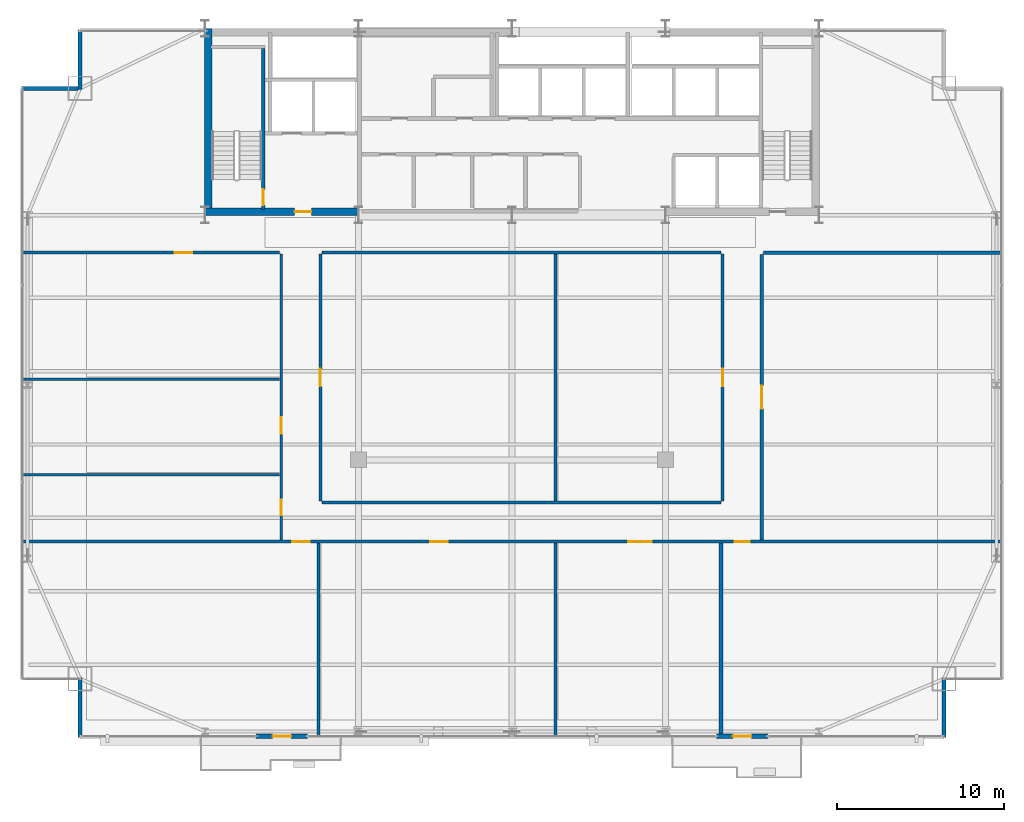
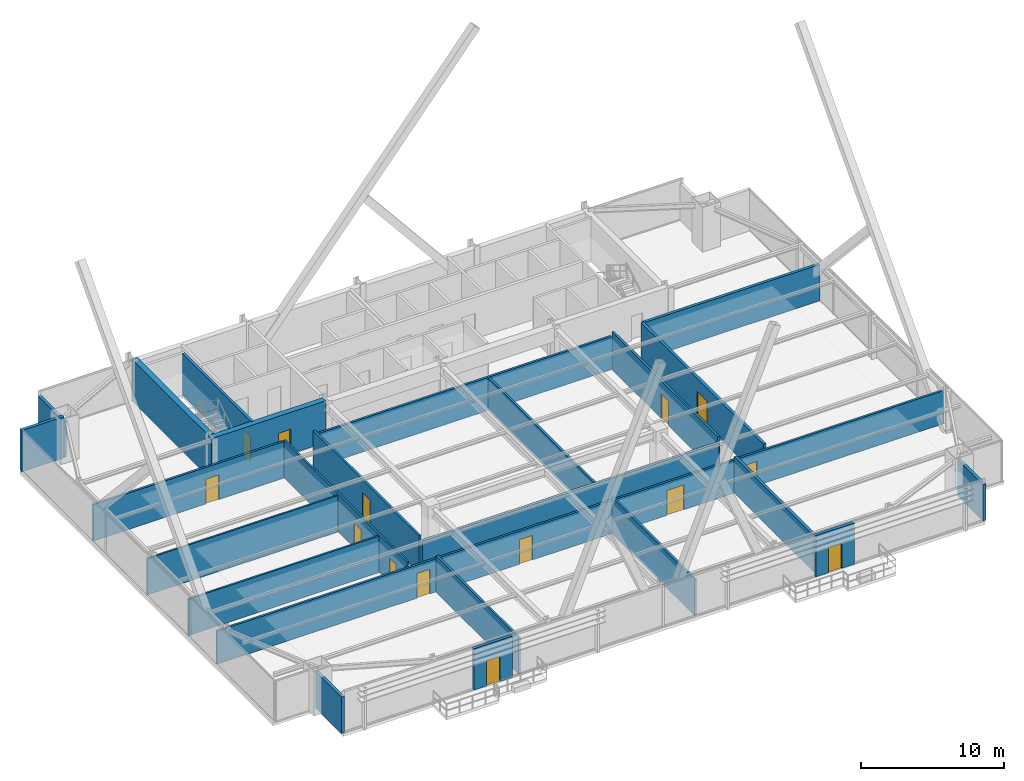
# One storey, part 34 of 38: 24 walls, 14 doors, 14 openings.
"""IFC4 building model written with IfcOpenShell, lengths in metres."""

import ifcopenshell
import ifcopenshell.guid

model = None  # the IFC model being written
_history = None  # IfcOwnerHistory: only IFC2X3 demands one
_inside = {}  # id of a spatial element -> (the spatial element, [elements in it])
_under = {}  # id of a project, library or spatial element -> (it, [spatial elements below it])
_declared = {}  # id of a project -> (the project, [libraries it declares])
_typed = {}  # id of a type object -> (the type object, [elements of that type])
_made_of = {}  # id of a material, layer set ... -> (it, [elements and type objects made of it])


def new_model(schema):
    """Start an empty IFC model of exactly this schema.

    Asked for "IFC4X3", IfcOpenShell would pick the latest addendum, in which some entities
    have other attributes; the version numbers below select the first issue.
    IFC2X3 requires an IfcOwnerHistory on every rooted entity: one is made here for all.
    """
    global model, _history
    if schema == "IFC4X3":
        model = ifcopenshell.file(schema_version=(4, 3, 0, 0))
    else:
        model = ifcopenshell.file(schema=schema)
    _inside.clear()
    _under.clear()
    _declared.clear()
    _typed.clear()
    _made_of.clear()
    _history = None
    if model.schema == "IFC2X3":
        org = make("IfcOrganization", Name="unknown")
        user = make(
            "IfcPersonAndOrganization",
            ThePerson=make("IfcPerson", FamilyName="unknown"),
            TheOrganization=org,
        )
        app = make(
            "IfcApplication",
            ApplicationDeveloper=org,
            Version="unknown",
            ApplicationFullName="unknown",
            ApplicationIdentifier="unknown",
        )
        _history = make(
            "IfcOwnerHistory",
            OwningUser=user,
            OwningApplication=app,
            ChangeAction="ADDED",
            CreationDate=0,
        )
    return model


def make(cls, **values):
    """One entity of the class cls with the attributes given. An attribute that is None is left unset."""
    return model.create_entity(
        cls, **{name: value for name, value in values.items() if value is not None}
    )


def rooted(cls, **values):
    """An entity with a GlobalId (a new one), such as an element, a storey or a relation."""
    return make(cls, GlobalId=ifcopenshell.guid.new(), OwnerHistory=_history, **values)


def si_unit(unit_type, name, prefix=None):
    """IfcSIUnit, for example si_unit("LENGTHUNIT", "METRE", prefix="MILLI")."""
    return make("IfcSIUnit", UnitType=unit_type, Prefix=prefix, Name=name)


def assignment(units):
    """IfcUnitAssignment: the units of a project."""
    return None if units is None else make("IfcUnitAssignment", Units=units)


def point(xyz):
    """IfcCartesianPoint."""
    return None if xyz is None else make("IfcCartesianPoint", Coordinates=xyz)


def direction(xyz):
    """IfcDirection."""
    return None if xyz is None else make("IfcDirection", DirectionRatios=xyz)


def frame(location, z_axis=None, x_axis=None):
    """IfcAxis2Placement3D, a coordinate frame: its origin and axes. An axis left out is left unset."""
    return make(
        "IfcAxis2Placement3D",
        Location=point(location),
        Axis=direction(z_axis),
        RefDirection=direction(x_axis),
    )


def frame_2d(location, x_axis=None):
    """IfcAxis2Placement2D, a coordinate frame in the plane: its origin and x axis."""
    return make(
        "IfcAxis2Placement2D", Location=point(location), RefDirection=direction(x_axis)
    )


def origin():
    """The frame at (0, 0, 0) with its axes left unset."""
    return frame((0.0, 0.0, 0.0))


def place(relative_to, where):
    """IfcLocalPlacement: puts the frame where relative to a parent placement (None: the world)."""
    return make(
        "IfcLocalPlacement", PlacementRelTo=relative_to, RelativePlacement=where
    )


def context(
    kind, dimensions, precision=None, world=None, true_north=None, identifier=None
):
    """IfcGeometricRepresentationContext, for example the 3D "Model" context."""
    return make(
        "IfcGeometricRepresentationContext",
        ContextIdentifier=identifier,
        ContextType=kind,
        CoordinateSpaceDimension=dimensions,
        Precision=precision,
        WorldCoordinateSystem=world,
        TrueNorth=true_north,
    )


def subcontext(parent, identifier, kind, view, scale=None):
    """IfcGeometricRepresentationSubContext, for example "Body" below "Model"."""
    return make(
        "IfcGeometricRepresentationSubContext",
        ContextIdentifier=identifier,
        ContextType=kind,
        ParentContext=parent,
        TargetScale=scale,
        TargetView=view,
    )


def project(units=None, contexts=None):
    """IfcProject with its units and contexts."""
    return rooted(
        "IfcProject",
        Name="project",
        RepresentationContexts=contexts,
        UnitsInContext=assignment(units),
    )


def spatial(cls, under=None, at=None, **own):
    """A site, building, storey or space (cls), placed at a placement, below another one or the project."""
    s = rooted(cls, ObjectPlacement=at, **own)
    if under is not None:
        _under.setdefault(under.id(), (under, []))[1].append(s)
    return s


def profile(cls, at=None, kind="AREA", **sizes):
    """A parametric profile (cls). Its sizes go by their IFC names, for example OverallWidth=200.0."""
    return make(cls, ProfileType=kind, Position=at, **sizes)


def rectangle(**sizes):
    """IfcRectangleProfileDef."""
    return profile("IfcRectangleProfileDef", **sizes)


def extrude(swept, where, along, depth):
    """IfcExtrudedAreaSolid: the profile swept, set in the frame where, extruded along a direction by depth."""
    return make(
        "IfcExtrudedAreaSolid",
        SweptArea=swept,
        Position=where,
        ExtrudedDirection=direction(along),
        Depth=depth,
    )


def shape(context_of_items, identifier, shape_type, items):
    """IfcShapeRepresentation: the items that make up one representation, for example the "Body"."""
    return make(
        "IfcShapeRepresentation",
        ContextOfItems=context_of_items,
        RepresentationIdentifier=identifier,
        RepresentationType=shape_type,
        Items=items,
    )


def source(mapping_origin, context_of_items, identifier, shape_type, items):
    """IfcRepresentationMap: a shape defined once, which mapped items show again and again."""
    return make(
        "IfcRepresentationMap",
        MappingOrigin=mapping_origin,
        MappedRepresentation=shape(context_of_items, identifier, shape_type, items),
    )


def transform(
    local_origin,
    x_axis=None,
    y_axis=None,
    z_axis=None,
    scale=None,
    scale2=None,
    scale3=None,
    uniform=True,
):
    """IfcCartesianTransformationOperator3D, or its non-uniform kind. x_axis, y_axis, z_axis: its Axis1, 2, 3."""
    if uniform:
        return make(
            "IfcCartesianTransformationOperator3D",
            Axis1=direction(x_axis),
            Axis2=direction(y_axis),
            LocalOrigin=point(local_origin),
            Scale=scale,
            Axis3=direction(z_axis),
        )
    return make(
        "IfcCartesianTransformationOperator3DnonUniform",
        Axis1=direction(x_axis),
        Axis2=direction(y_axis),
        LocalOrigin=point(local_origin),
        Scale=scale,
        Axis3=direction(z_axis),
        Scale2=scale2,
        Scale3=scale3,
    )


def mapped(mapping_source, mapping_target):
    """IfcMappedItem: shows the shape of a source again, moved by a transform."""
    return make(
        "IfcMappedItem", MappingSource=mapping_source, MappingTarget=mapping_target
    )


def material(Name=None, Category=None):
    """IfcMaterial."""
    return make("IfcMaterial", Name=Name, Category=Category)


def layer(
    of_material, thickness, ventilated=None, Name=None, Category=None, Priority=None
):
    """IfcMaterialLayer: one layer of a wall or slab, of a material (None: an air gap)."""
    return make(
        "IfcMaterialLayer",
        Material=of_material,
        LayerThickness=thickness,
        IsVentilated=ventilated,
        Name=Name,
        Category=Category,
        Priority=Priority,
    )


def layer_set(layers, Name=None):
    """IfcMaterialLayerSet."""
    return make("IfcMaterialLayerSet", MaterialLayers=layers, LayerSetName=Name)


def made_of(thing, what):
    """Note that an element or type object is made of a material, layer set ...; save() writes the relation."""
    if what is not None:
        _made_of.setdefault(what.id(), (what, []))[1].append(thing)
    return thing


def type_object(cls, material=None, **own):
    """A type object (cls), such as IfcWallType, which elements share."""
    return made_of(rooted(cls, **own), material)


def type_shapes(of_type, sources):
    """Give a type object the sources (RepresentationMaps) that its elements show as mapped items."""
    of_type.RepresentationMaps = sources


def element(
    cls,
    number,
    at=None,
    inside=None,
    cuts=None,
    type_object=None,
    material=None,
    context=None,
    identifier="Body",
    shape_type=None,
    held_by="IfcProductDefinitionShape",
    body=None,
    shapes=None,
    **own,
):
    """One element of the class cls, such as IfcWall. Its Tag is "e" and its number.

    at: its placement. inside: the storey or other place that contains it. cuts: it is an
    opening in that element (IfcRelVoidsElement). A single representation is given by context,
    identifier, shape_type and body (its items); several are given by shapes. held_by: the class
    of the entity that holds the representations. save() writes the other relations.
    """
    e = rooted(cls, Tag="e%d" % number, ObjectPlacement=at, **own)
    if body is not None:
        shapes = [shape(context, identifier, shape_type, body)]
    if shapes is not None:
        e.Representation = make(held_by, Representations=shapes)
    if inside is not None:
        _inside.setdefault(inside.id(), (inside, []))[1].append(e)
    if cuts is not None:
        rooted(
            "IfcRelVoidsElement", RelatingBuildingElement=cuts, RelatedOpeningElement=e
        )
    if type_object is not None:
        _typed.setdefault(type_object.id(), (type_object, []))[1].append(e)
    return made_of(e, material)


def fill(opening, filler):
    """IfcRelFillsElement: the door or window that sits in an opening."""
    return rooted(
        "IfcRelFillsElement",
        RelatingOpeningElement=opening,
        RelatedBuildingElement=filler,
    )


def aggregate(whole, parts):
    """IfcRelAggregates: a whole, such as a stair, and the parts it consists of."""
    return rooted("IfcRelAggregates", RelatingObject=whole, RelatedObjects=parts)


def save(model, path):
    """Write the relations noted so far, then the file.

    IfcRelAggregates (storeys below a building ...), IfcRelContainedInSpatialStructure (elements
    in a storey), IfcRelDefinesByType, IfcRelAssociatesMaterial and IfcRelDeclares: one each for
    every whole, place, type object, material and project.
    """
    for whole, parts in _under.values():
        aggregate(whole, parts)
    for where, things in _inside.values():
        rooted(
            "IfcRelContainedInSpatialStructure",
            RelatedElements=things,
            RelatingStructure=where,
        )
    for kind, things in _typed.values():
        rooted("IfcRelDefinesByType", RelatedObjects=things, RelatingType=kind)
    for what, things in _made_of.values():
        rooted("IfcRelAssociatesMaterial", RelatedObjects=things, RelatingMaterial=what)
    for by, libraries in _declared.values():
        rooted("IfcRelDeclares", RelatingContext=by, RelatedDefinitions=libraries)
    model.write(path)


model = new_model("IFC4")

# Units and contexts
model_context = context("Model", 3, precision=1e-05, world=origin(), true_north=direction((0.0, 1.0)))
body_context = subcontext(model_context, "Body", "Model", "MODEL_VIEW")
ifc_project = project(units=[si_unit("LENGTHUNIT", "METRE"), si_unit("AREAUNIT", "SQUARE_METRE"), si_unit("VOLUMEUNIT", "CUBIC_METRE"), si_unit("PLANEANGLEUNIT", "RADIAN"), si_unit("MASSUNIT", "GRAM", prefix="KILO")], contexts=[model_context])

# Site, building, storey
site_placement = place(None, origin())
site = spatial("IfcSite", under=ifc_project, at=site_placement, CompositionType="ELEMENT")
building_placement = place(site_placement, origin())
building = spatial("IfcBuilding", under=site, at=building_placement, Name="Varnel Quay Broadcast Tower", CompositionType="ELEMENT")
storey_placement = place(building_placement, frame((0.0, 0.0, 118.199951171875)))
storey = spatial("IfcBuildingStorey", under=building, at=storey_placement, Name="L28", CompositionType="ELEMENT", Elevation=118.199951171875)

# Wall, opening, door
ifc_material_1 = material(Name="Concrete CSA A23.3 C50/60", Category="concrete")
ifc_layer_1 = layer(ifc_material_1, 0.199951171875, Name="Concrete CSA A23.3 C50/60")
ifc_layer_set_1 = layer_set([ifc_layer_1], Name="Concrete CSA A23.3 C50/60")
wall_type_1 = type_object("IfcWallType", Name="Wall_CoreShaftShear200", PredefinedType="SHEAR", material=ifc_layer_set_1)
wall_1_placement = place(storey_placement, frame((19.080078125, 35.949951171875, 0.0), z_axis=(0.0, 0.0, 1.0), x_axis=(0.0, 1.0, 0.0)))
wall_1 = element("IfcWall", 1, at=wall_1_placement, inside=storey, type_object=wall_type_1, Name="L28 Stair 1 East Structural Wall", PredefinedType="SHEAR", context=body_context, shape_type="SweptSolid", body=[
    extrude(rectangle(XDim=9.650146484375, YDim=0.199951171875, at=frame_2d((4.8251953125, 0.0))), origin(), (0.0, 0.0, 1.0), 3.550048828125),
])
opening_1_placement = place(wall_1_placement, frame((0.25, 0.0, 0.0)))
opening_1 = element("IfcOpeningElement", 2, at=opening_1_placement, cuts=wall_1, Name="Opening D-L28-S1", PredefinedType="OPENING", context=body_context, shape_type="SweptSolid", body=[
    extrude(rectangle(XDim=0.949951171875, YDim=2.10009765625, at=frame_2d((0.47509765625, 1.050048828125))), frame((0.0, 0.10986328125, 0.0), z_axis=(0.0, -1.0, 0.0), x_axis=(1.0, 0.0, 0.0)), (0.0, 0.0, 1.0), 0.219970703125),
])
ifc_material_2 = material(Name="Insulated Fire-Rated Hollow Steel Door", Category="steel")
door_type_1 = type_object("IfcDoorType", Name="Door_FireStair950", OperationType="NOTDEFINED", PredefinedType="DOOR", material=ifc_material_2)
shared_shape_1 = source(origin(), body_context, "Body", "SweptSolid", [
    extrude(rectangle(XDim=0.949951171875, YDim=2.10009765625, at=frame_2d((0.47509765625, 1.050048828125))), frame((0.0, 0.02490234375, 0.0), z_axis=(0.0, -1.0, 0.0), x_axis=(1.0, 0.0, 0.0)), (0.0, 0.0, 1.0), 0.050048828125),
])
type_shapes(door_type_1, [shared_shape_1])
door_1_placement = place(opening_1_placement, origin())
door_1 = element("IfcDoor", 3, at=door_1_placement, inside=storey, type_object=door_type_1, Name="L28 Stair 1 Fire Door", OperationType="SINGLE_SWING_RIGHT", OverallHeight=2.10009765625, OverallWidth=0.949951171875, PredefinedType="DOOR", context=body_context, shape_type="MappedRepresentation", body=[
    mapped(shared_shape_1, transform((0.0, 0.0, 0.0), x_axis=(1.0, 0.0, 0.0), y_axis=(0.0, 1.0, 0.0), z_axis=(0.0, 0.0, 1.0), scale=1.0)),
])
fill(opening_1, door_1)

# Wall
ifc_material_3 = material(Name="Concrete CSA A23.3 C60/75", Category="concrete")
ifc_layer_2 = layer(ifc_material_3, 0.449951171875, Name="Concrete CSA A23.3 C60/75")
ifc_layer_set_2 = layer_set([ifc_layer_2], Name="Concrete CSA A23.3 C60/75")
wall_type_2 = type_object("IfcWallType", Name="Wall_CoreShearInt450", PredefinedType="SHEAR", material=ifc_layer_set_2)
wall_2_placement = place(storey_placement, frame((15.794921875, 35.570068359375, 0.0), z_axis=(0.0, 0.0, 1.0), x_axis=(0.0, 1.0, 0.0)))
element("IfcWall", 4, at=wall_2_placement, inside=storey, type_object=wall_type_2, Name="L28 West Core Shear Wall", PredefinedType="SHEAR", context=body_context, shape_type="SweptSolid", body=[
    extrude(rectangle(XDim=11.22998046875, YDim=0.449951171875, at=frame_2d((5.614990234375, 0.0))), origin(), (0.0, 0.0, 1.0), 3.550048828125),
])

# Wall, opening, door
wall_3_placement = place(storey_placement, frame((15.570068359375, 35.794921875, 0.0), z_axis=(0.0, 0.0, 1.0), x_axis=(1.0, 0.0, 0.0)))
wall_3 = element("IfcWall", 5, at=wall_3_placement, inside=storey, type_object=wall_type_2, Name="L28 South-West Core Shear Wall", PredefinedType="SHEAR", context=body_context, shape_type="SweptSolid", body=[
    extrude(rectangle(XDim=9.22998046875, YDim=0.449951171875, at=frame_2d((4.614990234375, 0.0))), origin(), (0.0, 0.0, 1.0), 3.550048828125),
])
opening_2_placement = place(wall_3_placement, frame((5.39990234375, 0.0, 0.0)))
opening_2 = element("IfcOpeningElement", 6, at=opening_2_placement, cuts=wall_3, Name="Opening D-L28-FFL", PredefinedType="OPENING", context=body_context, shape_type="SweptSolid", body=[
    extrude(rectangle(XDim=1.0, YDim=2.10009765625, at=frame_2d((0.5, 1.050048828125))), frame((0.0, 0.23486328125, 0.0), z_axis=(0.0, -1.0, 0.0), x_axis=(1.0, 0.0, 0.0)), (0.0, 0.0, 1.0), 0.469970703125),
])
door_type_2 = type_object("IfcDoorType", Name="Door_FireLobby1000", OperationType="NOTDEFINED", PredefinedType="DOOR", material=ifc_material_2)
shared_shape_2 = source(origin(), body_context, "Body", "SweptSolid", [
    extrude(rectangle(XDim=1.0, YDim=2.10009765625, at=frame_2d((0.5, 1.050048828125))), frame((0.0, 0.02490234375, 0.0), z_axis=(0.0, -1.0, 0.0), x_axis=(1.0, 0.0, 0.0)), (0.0, 0.0, 1.0), 0.050048828125),
])
type_shapes(door_type_2, [shared_shape_2])
door_2_placement = place(opening_2_placement, origin())
door_2 = element("IfcDoor", 7, at=door_2_placement, inside=storey, type_object=door_type_2, Name="L28 Firefighting Lobby Door", OperationType="SINGLE_SWING_LEFT", OverallHeight=2.10009765625, OverallWidth=1.0, PredefinedType="DOOR", context=body_context, shape_type="MappedRepresentation", body=[
    mapped(shared_shape_2, transform((0.0, 0.0, 0.0), x_axis=(1.0, 0.0, 0.0), y_axis=(0.0, 1.0, 0.0), z_axis=(0.0, 0.0, 1.0), scale=1.0)),
])
fill(opening_2, door_2)

ifc_material_4 = material(Name="Precast Architectural Concrete C40/50", Category="concrete")
ifc_layer_3 = layer(ifc_material_4, 0.25, Name="Precast Architectural Concrete C40/50")
ifc_layer_set_3 = layer_set([ifc_layer_3], Name="Precast Architectural Concrete C40/50")
wall_type_3 = type_object("IfcWallType", Name="Wall_ExtTerrace250", PredefinedType="SOLIDWALL", material=ifc_layer_set_3)
wall_4_placement = place(storey_placement, frame((18.64990234375, 4.35009765625, 0.0), z_axis=(0.0, 0.0, 1.0), x_axis=(1.0, 0.0, 0.0)))
wall_4 = element("IfcWall", 8, at=wall_4_placement, inside=storey, type_object=wall_type_3, Name="L28 Terrace Access Wall 1", PredefinedType="SOLIDWALL", context=body_context, shape_type="SweptSolid", body=[
    extrude(rectangle(XDim=3.10009765625, YDim=0.25, at=frame_2d((1.550048828125, 0.0))), origin(), (0.0, 0.0, 1.0), 3.530029296875),
])
opening_3_placement = place(wall_4_placement, frame((1.0, 0.0, 0.0)))
opening_3 = element("IfcOpeningElement", 9, at=opening_3_placement, cuts=wall_4, Name="Opening TD-281", PredefinedType="OPENING", context=body_context, shape_type="SweptSolid", body=[
    extrude(rectangle(XDim=1.10009765625, YDim=2.14990234375, at=frame_2d((0.550048828125, 1.074951171875))), frame((0.0, 0.135009765625, 0.0), z_axis=(0.0, -1.0, 0.0), x_axis=(1.0, 0.0, 0.0)), (0.0, 0.0, 1.0), 0.27001953125),
])
ifc_material_5 = material(Name="Anodised Bronze Aluminium 6063-T6", Category="aluminium")
door_type_3 = type_object("IfcDoorType", Name="Door_ExtTerrace1100", OperationType="NOTDEFINED", PredefinedType="DOOR", material=ifc_material_5)
shared_shape_3 = source(origin(), body_context, "Body", "SweptSolid", [
    extrude(rectangle(XDim=1.10009765625, YDim=2.14990234375, at=frame_2d((0.550048828125, 1.074951171875))), frame((0.0, 0.02490234375, 0.0), z_axis=(0.0, -1.0, 0.0), x_axis=(1.0, 0.0, 0.0)), (0.0, 0.0, 1.0), 0.050048828125),
])
type_shapes(door_type_3, [shared_shape_3])
door_3_placement = place(opening_3_placement, frame((1.10009765625, 0.0, 0.0), z_axis=(0.0, 0.0, 1.0), x_axis=(-1.0, 0.0, 0.0)))
door_3 = element("IfcDoor", 10, at=door_3_placement, inside=storey, type_object=door_type_3, Name="L28 Terrace Door TD-281", OperationType="SINGLE_SWING_LEFT", OverallHeight=2.14990234375, OverallWidth=1.10009765625, PredefinedType="DOOR", context=body_context, shape_type="MappedRepresentation", body=[
    mapped(shared_shape_3, transform((0.0, 0.0, 0.0), x_axis=(1.0, 0.0, 0.0), y_axis=(0.0, 1.0, 0.0), z_axis=(0.0, 0.0, 1.0), scale=1.0)),
])
fill(opening_3, door_3)

wall_5_placement = place(storey_placement, frame((46.25, 4.35009765625, 0.0), z_axis=(0.0, 0.0, 1.0), x_axis=(1.0, 0.0, 0.0)))
wall_5 = element("IfcWall", 11, at=wall_5_placement, inside=storey, type_object=wall_type_3, Name="L28 Terrace Access Wall 2", PredefinedType="SOLIDWALL", context=body_context, shape_type="SweptSolid", body=[
    extrude(rectangle(XDim=3.10009765625, YDim=0.25, at=frame_2d((1.550048828125, 0.0))), origin(), (0.0, 0.0, 1.0), 3.530029296875),
])
opening_4_placement = place(wall_5_placement, frame((1.0, 0.0, 0.0)))
opening_4 = element("IfcOpeningElement", 12, at=opening_4_placement, cuts=wall_5, Name="Opening TD-282", PredefinedType="OPENING", context=body_context, shape_type="SweptSolid", body=[
    extrude(rectangle(XDim=1.10009765625, YDim=2.14990234375, at=frame_2d((0.550048828125, 1.074951171875))), frame((0.0, 0.135009765625, 0.0), z_axis=(0.0, -1.0, 0.0), x_axis=(1.0, 0.0, 0.0)), (0.0, 0.0, 1.0), 0.27001953125),
])
door_4_placement = place(opening_4_placement, frame((1.10009765625, 0.0, 0.0), z_axis=(0.0, 0.0, 1.0), x_axis=(-1.0, 0.0, 0.0)))
door_4 = element("IfcDoor", 13, at=door_4_placement, inside=storey, type_object=door_type_3, Name="L28 Terrace Door TD-282", OperationType="SINGLE_SWING_RIGHT", OverallHeight=2.14990234375, OverallWidth=1.10009765625, PredefinedType="DOOR", context=body_context, shape_type="MappedRepresentation", body=[
    mapped(shared_shape_3, transform((0.0, 0.0, 0.0), x_axis=(1.0, 0.0, 0.0), y_axis=(0.0, 1.0, 0.0), z_axis=(0.0, 0.0, 1.0), scale=1.0)),
])
fill(opening_4, door_4)

# Walls
for number, where, z_axis, x_axis, name in (
    (14, (8.10009765625, 4.280029296875, 0.0), (0.0, 0.0, 1.0), (0.0, 1.0, 0.0), "L28 Mega-Column Notch Cladding Wall NSW2"),
    (15, (59.89990234375, 4.280029296875, 0.0), (0.0, 0.0, 1.0), (0.0, 1.0, 0.0), "L28 Mega-Column Notch Cladding Wall NSE2"),
):
    element("IfcWall", number, at=place(storey_placement, frame(where, z_axis=z_axis, x_axis=x_axis)), inside=storey, type_object=wall_type_3, Name=name, PredefinedType="SOLIDWALL", context=body_context, shape_type="SweptSolid", body=[
        extrude(rectangle(XDim=3.599853515625, YDim=0.25, at=frame_2d((1.7998046875, 0.0))), origin(), (0.0, 0.0, 1.0), 3.108154296875),
    ])
wall_6_placement = place(storey_placement, frame((4.580078125, 43.199951171875, 0.0), z_axis=(0.0, 0.0, 1.0), x_axis=(1.0, 0.0, 0.0)))
element("IfcWall", 16, at=wall_6_placement, inside=storey, type_object=wall_type_3, Name="L28 Mega-Column Notch Cladding Wall NNW1", PredefinedType="SOLIDWALL", context=body_context, shape_type="SweptSolid", body=[
    extrude(rectangle(XDim=3.389892578125, YDim=0.25, at=frame_2d((1.69482421875, 0.0))), origin(), (0.0, 0.0, 1.0), 3.530029296875),
])
wall_7_placement = place(storey_placement, frame((8.10009765625, 43.1201171875, 0.0), z_axis=(0.0, 0.0, 1.0), x_axis=(0.0, 1.0, 0.0)))
element("IfcWall", 17, at=wall_7_placement, inside=storey, type_object=wall_type_3, Name="L28 Mega-Column Notch Cladding Wall NNW2", PredefinedType="SOLIDWALL", context=body_context, shape_type="SweptSolid", body=[
    extrude(rectangle(XDim=3.599853515625, YDim=0.25, at=frame_2d((1.7998046875, 0.0))), origin(), (0.0, 0.0, 1.0), 3.108154296875),
])
ifc_material_6 = material(Name="Steel-Stud Fire-Rated Acoustic Gypsum Partition Assembly", Category="steel")
ifc_layer_4 = layer(ifc_material_6, 0.139892578125, Name="Steel-Stud Fire-Rated Acoustic Gypsum Partition Assembly")
ifc_layer_set_4 = layer_set([ifc_layer_4], Name="Steel-Stud Fire-Rated Acoustic Gypsum Partition Assembly")
wall_type_4 = type_object("IfcWallType", Name="Wall_Partition140", PredefinedType="PARTITIONING", material=ifc_layer_set_4)
wall_8_placement = place(storey_placement, frame((4.679931640625, 25.75, 0.0), z_axis=(0.0, 0.0, 1.0), x_axis=(1.0, 0.0, 0.0)))
element("IfcWall", 18, at=wall_8_placement, inside=storey, type_object=wall_type_4, Name="L28 Reading Lounge 6 Partition 13", PredefinedType="PARTITIONING", context=body_context, shape_type="SweptSolid", body=[
    extrude(rectangle(XDim=15.380126953125, YDim=0.139892578125, at=frame_2d((7.68994140625, 0.0))), origin(), (0.0, 0.0, 1.0), 3.108154296875),
])

# Wall, openings, doors
ifc_layer_5 = layer(ifc_material_6, 0.14990234375, Name="Steel-Stud Fire-Rated Acoustic Gypsum Partition Assembly")
ifc_layer_set_5 = layer_set([ifc_layer_5], Name="Steel-Stud Fire-Rated Acoustic Gypsum Partition Assembly")
wall_type_5 = type_object("IfcWallType", Name="Wall_Partition150", PredefinedType="PARTITIONING", material=ifc_layer_set_5)
wall_9_placement = place(storey_placement, frame((20.159912109375, 16.10693359375, 0.0), z_axis=(0.0, 0.0, 1.0), x_axis=(0.0, 1.0, 0.0)))
wall_9 = element("IfcWall", 19, at=wall_9_placement, inside=storey, type_object=wall_type_5, Name="L28 Bureau Office 5 Partition 11", PredefinedType="PARTITIONING", context=body_context, shape_type="SweptSolid", body=[
    extrude(rectangle(XDim=17.156005859375, YDim=0.14990234375, at=frame_2d((8.578125, 0.0))), origin(), (0.0, 0.0, 1.0), 3.22216796875),
])
opening_5_placement = place(wall_9_placement, frame((1.512939453125, 0.0, 0.0)))
opening_5 = element("IfcOpeningElement", 20, at=opening_5_placement, cuts=wall_9, Name="Opening D-L28-09", PredefinedType="OPENING", context=body_context, shape_type="SweptSolid", body=[
    extrude(rectangle(XDim=0.919921875, YDim=2.080078125, at=frame_2d((0.4599609375, 1.0400390625))), frame((0.0, 0.0849609375, 0.0), z_axis=(0.0, -1.0, 0.0), x_axis=(1.0, 0.0, 0.0)), (0.0, 0.0, 1.0), 0.169921875),
])
opening_6_placement = place(wall_9_placement, frame((6.387939453125, 0.0, 0.0)))
opening_6 = element("IfcOpeningElement", 21, at=opening_6_placement, cuts=wall_9, Name="Opening D-L28-10", PredefinedType="OPENING", context=body_context, shape_type="SweptSolid", body=[
    extrude(rectangle(XDim=1.0, YDim=2.10009765625, at=frame_2d((0.5, 1.050048828125))), frame((0.0, 0.0849609375, 0.0), z_axis=(0.0, -1.0, 0.0), x_axis=(1.0, 0.0, 0.0)), (0.0, 0.0, 1.0), 0.169921875),
])
ifc_material_7 = material(Name="Solid-Core Fire-Rated Acoustic Oak Veneer Door", Category="wood")
door_type_4 = type_object("IfcDoorType", Name="Door_Office920", OperationType="NOTDEFINED", PredefinedType="DOOR", material=ifc_material_7)
shared_shape_4 = source(origin(), body_context, "Body", "SweptSolid", [
    extrude(rectangle(XDim=0.919921875, YDim=2.080078125, at=frame_2d((0.4599609375, 1.0400390625))), frame((0.0, 0.02490234375, 0.0), z_axis=(0.0, -1.0, 0.0), x_axis=(1.0, 0.0, 0.0)), (0.0, 0.0, 1.0), 0.050048828125),
])
type_shapes(door_type_4, [shared_shape_4])
door_5_placement = place(opening_5_placement, origin())
door_5 = element("IfcDoor", 22, at=door_5_placement, inside=storey, type_object=door_type_4, Name="L28 Bureau Office 5 Door D-L28-09", OperationType="SINGLE_SWING_RIGHT", OverallHeight=2.080078125, OverallWidth=0.919921875, PredefinedType="DOOR", context=body_context, shape_type="MappedRepresentation", body=[
    mapped(shared_shape_4, transform((0.0, 0.0, 0.0), x_axis=(1.0, 0.0, 0.0), y_axis=(0.0, 1.0, 0.0), z_axis=(0.0, 0.0, 1.0), scale=1.0)),
])
fill(opening_5, door_5)
door_type_5 = type_object("IfcDoorType", Name="Door_Exec1000", OperationType="NOTDEFINED", PredefinedType="DOOR", material=ifc_material_7)
shared_shape_5 = source(origin(), body_context, "Body", "SweptSolid", [
    extrude(rectangle(XDim=1.0, YDim=2.10009765625, at=frame_2d((0.5, 1.050048828125))), frame((0.0, 0.02490234375, 0.0), z_axis=(0.0, -1.0, 0.0), x_axis=(1.0, 0.0, 0.0)), (0.0, 0.0, 1.0), 0.050048828125),
])
type_shapes(door_type_5, [shared_shape_5])
door_6_placement = place(opening_6_placement, origin())
door_6 = element("IfcDoor", 23, at=door_6_placement, inside=storey, type_object=door_type_5, Name="L28 Reading Lounge 6 Door D-L28-10", OperationType="SINGLE_SWING_LEFT", OverallHeight=2.10009765625, OverallWidth=1.0, PredefinedType="DOOR", context=body_context, shape_type="MappedRepresentation", body=[
    mapped(shared_shape_5, transform((0.0, 0.0, 0.0), x_axis=(1.0, 0.0, 0.0), y_axis=(0.0, 1.0, 0.0), z_axis=(0.0, 0.0, 1.0), scale=1.0)),
])
fill(opening_6, door_6)

# Walls
wall_10_placement = place(storey_placement, frame((4.679931640625, 20.0400390625, 0.0), z_axis=(0.0, 0.0, 1.0), x_axis=(1.0, 0.0, 0.0)))
element("IfcWall", 24, at=wall_10_placement, inside=storey, type_object=wall_type_5, Name="L28 Bureau Office 5 Partition 12", PredefinedType="PARTITIONING", context=body_context, shape_type="SweptSolid", body=[
    extrude(rectangle(XDim=15.380126953125, YDim=0.14990234375, at=frame_2d((7.68994140625, 0.0))), origin(), (0.0, 0.0, 1.0), 3.108154296875),
])
ifc_layer_6 = layer(ifc_material_6, 0.175048828125, Name="Steel-Stud Fire-Rated Acoustic Gypsum Partition Assembly")
ifc_layer_set_6 = layer_set([ifc_layer_6], Name="Steel-Stud Fire-Rated Acoustic Gypsum Partition Assembly")
wall_type_6 = type_object("IfcWallType", Name="Wall_Partition175", PredefinedType="PARTITIONING", material=ifc_layer_set_6)
wall_11_placement = place(storey_placement, frame((22.409912109375, 4.3798828125, 0.0), z_axis=(0.0, 0.0, 1.0), x_axis=(0.0, 1.0, 0.0)))
element("IfcWall", 25, at=wall_11_placement, inside=storey, type_object=wall_type_6, Name="L28 Press Briefing Room 1 Partition 7", PredefinedType="PARTITIONING", context=body_context, shape_type="SweptSolid", body=[
    extrude(rectangle(XDim=11.552001953125, YDim=0.175048828125, at=frame_2d((5.77587890625, 0.0))), origin(), (0.0, 0.0, 1.0), 3.108154296875),
])

# Wall, openings, doors
wall_12_placement = place(storey_placement, frame((4.679931640625, 16.02001953125, 0.0), z_axis=(0.0, 0.0, 1.0), x_axis=(1.0, 0.0, 0.0)))
wall_12 = element("IfcWall", 26, at=wall_12_placement, inside=storey, type_object=wall_type_6, Name="L28 Press Briefing Room 1 Partition 8", PredefinedType="PARTITIONING", context=body_context, shape_type="SweptSolid", body=[
    extrude(rectangle(XDim=58.64013671875, YDim=0.175048828125, at=frame_2d((29.320068359375, 0.0))), origin(), (0.0, 0.0, 1.0), 2.830078125),
])
opening_7_placement = place(wall_12_placement, frame((16.1298828125, 0.0, 0.0)))
opening_7 = element("IfcOpeningElement", 27, at=opening_7_placement, cuts=wall_12, Name="Opening D-L28-05", PredefinedType="OPENING", context=body_context, shape_type="SweptSolid", body=[
    extrude(rectangle(XDim=1.050048828125, YDim=2.10009765625, at=frame_2d((0.52490234375, 1.050048828125))), frame((0.0, 0.09765625, 0.0), z_axis=(0.0, -1.0, 0.0), x_axis=(1.0, 0.0, 0.0)), (0.0, 0.0, 1.0), 0.195068359375),
])
opening_8_placement = place(wall_12_placement, frame((24.409912109375, 0.0, 0.0)))
opening_8 = element("IfcOpeningElement", 28, at=opening_8_placement, cuts=wall_12, Name="Opening D-L28-06", PredefinedType="OPENING", context=body_context, shape_type="SweptSolid", body=[
    extrude(rectangle(XDim=1.050048828125, YDim=2.10009765625, at=frame_2d((0.52490234375, 1.050048828125))), frame((0.0, 0.09765625, 0.0), z_axis=(0.0, -1.0, 0.0), x_axis=(1.0, 0.0, 0.0)), (0.0, 0.0, 1.0), 0.195068359375),
])
opening_9_placement = place(wall_12_placement, frame((36.294921875, 0.0, 0.0)))
opening_9 = element("IfcOpeningElement", 29, at=opening_9_placement, cuts=wall_12, Name="Opening D-L28-07", PredefinedType="OPENING", context=body_context, shape_type="SweptSolid", body=[
    extrude(rectangle(XDim=1.39990234375, YDim=2.1201171875, at=frame_2d((0.699951171875, 1.06005859375))), frame((0.0, 0.09765625, 0.0), z_axis=(0.0, -1.0, 0.0), x_axis=(1.0, 0.0, 0.0)), (0.0, 0.0, 1.0), 0.195068359375),
])
opening_10_placement = place(wall_12_placement, frame((42.68505859375, 0.0, 0.0)))
opening_10 = element("IfcOpeningElement", 30, at=opening_10_placement, cuts=wall_12, Name="Opening D-L28-08", PredefinedType="OPENING", context=body_context, shape_type="SweptSolid", body=[
    extrude(rectangle(XDim=0.8798828125, YDim=2.06005859375, at=frame_2d((0.43994140625, 1.030029296875))), frame((0.0, 0.09765625, 0.0), z_axis=(0.0, -1.0, 0.0), x_axis=(1.0, 0.0, 0.0)), (0.0, 0.0, 1.0), 0.195068359375),
])
door_type_6 = type_object("IfcDoorType", Name="Door_Booth880", OperationType="NOTDEFINED", PredefinedType="DOOR", material=ifc_material_7)
shared_shape_6 = source(origin(), body_context, "Body", "SweptSolid", [
    extrude(rectangle(XDim=0.8798828125, YDim=2.06005859375, at=frame_2d((0.43994140625, 1.030029296875))), frame((0.0, 0.02490234375, 0.0), z_axis=(0.0, -1.0, 0.0), x_axis=(1.0, 0.0, 0.0)), (0.0, 0.0, 1.0), 0.050048828125),
])
type_shapes(door_type_6, [shared_shape_6])
door_7_placement = place(opening_10_placement, frame((0.8798828125, 0.0, 0.0), z_axis=(0.0, 0.0, 1.0), x_axis=(-1.0, 0.0, 0.0)))
door_7 = element("IfcDoor", 31, at=door_7_placement, inside=storey, type_object=door_type_6, Name="L28 Catering Kitchen 4 Door D-L28-08", OperationType="SINGLE_SWING_LEFT", OverallHeight=2.06005859375, OverallWidth=0.8798828125, PredefinedType="DOOR", context=body_context, shape_type="MappedRepresentation", body=[
    mapped(shared_shape_6, transform((0.0, 0.0, 0.0), x_axis=(1.0, 0.0, 0.0), y_axis=(0.0, 1.0, 0.0), z_axis=(0.0, 0.0, 1.0), scale=1.0)),
])
fill(opening_10, door_7)
door_type_7 = type_object("IfcDoorType", Name="Door_Meeting1050", OperationType="NOTDEFINED", PredefinedType="DOOR", material=ifc_material_7)
shared_shape_7 = source(origin(), body_context, "Body", "SweptSolid", [
    extrude(rectangle(XDim=1.050048828125, YDim=2.10009765625, at=frame_2d((0.52490234375, 1.050048828125))), frame((0.0, 0.02490234375, 0.0), z_axis=(0.0, -1.0, 0.0), x_axis=(1.0, 0.0, 0.0)), (0.0, 0.0, 1.0), 0.050048828125),
])
type_shapes(door_type_7, [shared_shape_7])
door_8_placement = place(opening_7_placement, frame((1.050048828125, 0.0, 0.0), z_axis=(0.0, 0.0, 1.0), x_axis=(-1.0, 0.0, 0.0)))
door_8 = element("IfcDoor", 32, at=door_8_placement, inside=storey, type_object=door_type_7, Name="L28 Press Briefing Room 1 Door D-L28-05", OperationType="SINGLE_SWING_LEFT", OverallHeight=2.10009765625, OverallWidth=1.050048828125, PredefinedType="DOOR", context=body_context, shape_type="MappedRepresentation", body=[
    mapped(shared_shape_7, transform((0.0, 0.0, 0.0), x_axis=(1.0, 0.0, 0.0), y_axis=(0.0, 1.0, 0.0), z_axis=(0.0, 0.0, 1.0), scale=1.0)),
])
fill(opening_7, door_8)
door_9_placement = place(opening_8_placement, frame((1.050048828125, 0.0, 0.0), z_axis=(0.0, 0.0, 1.0), x_axis=(-1.0, 0.0, 0.0)))
door_9 = element("IfcDoor", 33, at=door_9_placement, inside=storey, type_object=door_type_7, Name="L28 Editorial Huddle Room 2 Door D-L28-06", OperationType="SINGLE_SWING_RIGHT", OverallHeight=2.10009765625, OverallWidth=1.050048828125, PredefinedType="DOOR", context=body_context, shape_type="MappedRepresentation", body=[
    mapped(shared_shape_7, transform((0.0, 0.0, 0.0), x_axis=(1.0, 0.0, 0.0), y_axis=(0.0, 1.0, 0.0), z_axis=(0.0, 0.0, 1.0), scale=1.0)),
])
fill(opening_8, door_9)
door_type_8 = type_object("IfcDoorType", Name="Door_Gallery1400", OperationType="DOUBLE_DOOR_SINGLE_SWING", PredefinedType="DOOR", material=ifc_material_7)
shared_shape_8 = source(origin(), body_context, "Body", "SweptSolid", [
    extrude(rectangle(XDim=1.39990234375, YDim=2.1201171875, at=frame_2d((0.699951171875, 1.06005859375))), frame((0.0, 0.02490234375, 0.0), z_axis=(0.0, -1.0, 0.0), x_axis=(1.0, 0.0, 0.0)), (0.0, 0.0, 1.0), 0.050048828125),
])
type_shapes(door_type_8, [shared_shape_8])
door_10_placement = place(opening_9_placement, frame((1.39990234375, 0.0, 0.0), z_axis=(0.0, 0.0, 1.0), x_axis=(-1.0, 0.0, 0.0)))
door_10 = element("IfcDoor", 34, at=door_10_placement, inside=storey, type_object=door_type_8, Name="L28 Journalism Training Studio 3 Door D-L28-07", OperationType="DOUBLE_DOOR_SINGLE_SWING", OverallHeight=2.1201171875, OverallWidth=1.39990234375, PredefinedType="DOOR", context=body_context, shape_type="MappedRepresentation", body=[
    mapped(shared_shape_8, transform((0.0, 0.0, 0.0), x_axis=(1.0, 0.0, 0.0), y_axis=(0.0, 1.0, 0.0), z_axis=(0.0, 0.0, 1.0), scale=1.0)),
])
fill(opening_9, door_10)

# Wall
wall_13_placement = place(storey_placement, frame((36.6201171875, 4.3798828125, 0.0), z_axis=(0.0, 0.0, 1.0), x_axis=(0.0, 1.0, 0.0)))
element("IfcWall", 35, at=wall_13_placement, inside=storey, type_object=wall_type_6, Name="L28 Editorial Huddle Room 2 Partition 9", PredefinedType="PARTITIONING", context=body_context, shape_type="SweptSolid", body=[
    extrude(rectangle(XDim=11.552001953125, YDim=0.175048828125, at=frame_2d((5.77587890625, 0.0))), origin(), (0.0, 0.0, 1.0), 3.108154296875),
])

# Wall, opening, door
wall_14_placement = place(storey_placement, frame((4.679931640625, 33.35009765625, 0.0), z_axis=(0.0, 0.0, 1.0), x_axis=(1.0, 0.0, 0.0)))
wall_14 = element("IfcWall", 36, at=wall_14_placement, inside=storey, type_object=wall_type_6, Name="L28 Broadcast Seminar Room 7 Partition 14", PredefinedType="PARTITIONING", context=body_context, shape_type="SweptSolid", body=[
    extrude(rectangle(XDim=15.380126953125, YDim=0.175048828125, at=frame_2d((7.68994140625, 0.0))), origin(), (0.0, 0.0, 1.0), 3.108154296875),
])
opening_11_placement = place(wall_14_placement, frame((9.10009765625, 0.0, 0.0)))
opening_11 = element("IfcOpeningElement", 37, at=opening_11_placement, cuts=wall_14, Name="Opening D-L28-11", PredefinedType="OPENING", context=body_context, shape_type="SweptSolid", body=[
    extrude(rectangle(XDim=1.050048828125, YDim=2.10009765625, at=frame_2d((0.52490234375, 1.050048828125))), frame((0.0, 0.09765625, 0.0), z_axis=(0.0, -1.0, 0.0), x_axis=(1.0, 0.0, 0.0)), (0.0, 0.0, 1.0), 0.195068359375),
])
door_11_placement = place(opening_11_placement, frame((1.050048828125, 0.0, 0.0), z_axis=(0.0, 0.0, 1.0), x_axis=(-1.0, 0.0, 0.0)))
door_11 = element("IfcDoor", 38, at=door_11_placement, inside=storey, type_object=door_type_7, Name="L28 Broadcast Seminar Room 7 Door D-L28-11", OperationType="SINGLE_SWING_RIGHT", OverallHeight=2.10009765625, OverallWidth=1.050048828125, PredefinedType="DOOR", context=body_context, shape_type="MappedRepresentation", body=[
    mapped(shared_shape_7, transform((0.0, 0.0, 0.0), x_axis=(1.0, 0.0, 0.0), y_axis=(0.0, 1.0, 0.0), z_axis=(0.0, 0.0, 1.0), scale=1.0)),
])
fill(opening_11, door_11)

# Walls
wall_15_placement = place(storey_placement, frame((22.610107421875, 18.3701171875, 0.0), z_axis=(0.0, 0.0, 1.0), x_axis=(1.0, 0.0, 0.0)))
element("IfcWall", 39, at=wall_15_placement, inside=storey, type_object=wall_type_6, Name="L28 Press Briefing Room 8 Partition 15", PredefinedType="PARTITIONING", context=body_context, shape_type="SweptSolid", body=[
    extrude(rectangle(XDim=23.919921875, YDim=0.175048828125, at=frame_2d((11.9599609375, 0.0))), origin(), (0.0, 0.0, 1.0), 2.830078125),
])
wall_16_placement = place(storey_placement, frame((36.6201171875, 18.45703125, 0.0), z_axis=(0.0, 0.0, 1.0), x_axis=(0.0, 1.0, 0.0)))
element("IfcWall", 40, at=wall_16_placement, inside=storey, type_object=wall_type_6, Name="L28 Press Briefing Room 8 Partition 16", PredefinedType="PARTITIONING", context=body_context, shape_type="SweptSolid", body=[
    extrude(rectangle(XDim=14.805908203125, YDim=0.175048828125, at=frame_2d((7.40283203125, 0.0))), origin(), (0.0, 0.0, 1.0), 2.830078125),
])
wall_17_placement = place(storey_placement, frame((22.610107421875, 33.35009765625, 0.0), z_axis=(0.0, 0.0, 1.0), x_axis=(1.0, 0.0, 0.0)))
element("IfcWall", 41, at=wall_17_placement, inside=storey, type_object=wall_type_6, Name="L28 Press Briefing Room 8 Partition 17", PredefinedType="PARTITIONING", context=body_context, shape_type="SweptSolid", body=[
    extrude(rectangle(XDim=23.919921875, YDim=0.175048828125, at=frame_2d((11.9599609375, 0.0))), origin(), (0.0, 0.0, 1.0), 2.830078125),
])

# Wall, opening, door
wall_18_placement = place(storey_placement, frame((22.510009765625, 18.45703125, 0.0), z_axis=(0.0, 0.0, 1.0), x_axis=(0.0, 1.0, 0.0)))
wall_18 = element("IfcWall", 42, at=wall_18_placement, inside=storey, type_object=wall_type_6, Name="L28 Press Briefing Room 8 Partition 18", PredefinedType="PARTITIONING", context=body_context, shape_type="SweptSolid", body=[
    extrude(rectangle(XDim=14.805908203125, YDim=0.175048828125, at=frame_2d((7.40283203125, 0.0))), origin(), (0.0, 0.0, 1.0), 3.22216796875),
])
opening_12_placement = place(wall_18_placement, frame((6.8779296875, 0.0, 0.0)))
opening_12 = element("IfcOpeningElement", 43, at=opening_12_placement, cuts=wall_18, Name="Opening D-L28-12", PredefinedType="OPENING", context=body_context, shape_type="SweptSolid", body=[
    extrude(rectangle(XDim=1.050048828125, YDim=2.10009765625, at=frame_2d((0.52490234375, 1.050048828125))), frame((0.0, 0.09765625, 0.0), z_axis=(0.0, -1.0, 0.0), x_axis=(1.0, 0.0, 0.0)), (0.0, 0.0, 1.0), 0.195068359375),
])
door_12_placement = place(opening_12_placement, frame((1.050048828125, 0.0, 0.0), z_axis=(0.0, 0.0, 1.0), x_axis=(-1.0, 0.0, 0.0)))
door_12 = element("IfcDoor", 44, at=door_12_placement, inside=storey, type_object=door_type_7, Name="L28 Press Briefing Room 8 Door D-L28-12", OperationType="SINGLE_SWING_LEFT", OverallHeight=2.10009765625, OverallWidth=1.050048828125, PredefinedType="DOOR", context=body_context, shape_type="MappedRepresentation", body=[
    mapped(shared_shape_7, transform((0.0, 0.0, 0.0), x_axis=(1.0, 0.0, 0.0), y_axis=(0.0, 1.0, 0.0), z_axis=(0.0, 0.0, 1.0), scale=1.0)),
])
fill(opening_12, door_12)

wall_19_placement = place(storey_placement, frame((46.6298828125, 18.45703125, 0.0), z_axis=(0.0, 0.0, 1.0), x_axis=(0.0, 1.0, 0.0)))
wall_19 = element("IfcWall", 45, at=wall_19_placement, inside=storey, type_object=wall_type_6, Name="L28 Editorial Huddle Room 9 Partition 19", PredefinedType="PARTITIONING", context=body_context, shape_type="SweptSolid", body=[
    extrude(rectangle(XDim=14.805908203125, YDim=0.175048828125, at=frame_2d((7.40283203125, 0.0))), origin(), (0.0, 0.0, 1.0), 3.22216796875),
])
opening_13_placement = place(wall_19_placement, frame((6.8779296875, 0.0, 0.0)))
opening_13 = element("IfcOpeningElement", 46, at=opening_13_placement, cuts=wall_19, Name="Opening D-L28-13", PredefinedType="OPENING", context=body_context, shape_type="SweptSolid", body=[
    extrude(rectangle(XDim=1.050048828125, YDim=2.10009765625, at=frame_2d((0.52490234375, 1.050048828125))), frame((0.0, 0.09765625, 0.0), z_axis=(0.0, -1.0, 0.0), x_axis=(1.0, 0.0, 0.0)), (0.0, 0.0, 1.0), 0.195068359375),
])
door_13_placement = place(opening_13_placement, origin())
door_13 = element("IfcDoor", 47, at=door_13_placement, inside=storey, type_object=door_type_7, Name="L28 Editorial Huddle Room 9 Door D-L28-13", OperationType="SINGLE_SWING_RIGHT", OverallHeight=2.10009765625, OverallWidth=1.050048828125, PredefinedType="DOOR", context=body_context, shape_type="MappedRepresentation", body=[
    mapped(shared_shape_7, transform((0.0, 0.0, 0.0), x_axis=(1.0, 0.0, 0.0), y_axis=(0.0, 1.0, 0.0), z_axis=(0.0, 0.0, 1.0), scale=1.0)),
])
fill(opening_13, door_13)

# Walls
ifc_layer_7 = layer(ifc_material_6, 0.22509765625, Name="Steel-Stud Fire-Rated Acoustic Gypsum Partition Assembly")
ifc_layer_set_7 = layer_set([ifc_layer_7], Name="Steel-Stud Fire-Rated Acoustic Gypsum Partition Assembly")
wall_type_7 = type_object("IfcWallType", Name="Wall_Partition225", PredefinedType="PARTITIONING", material=ifc_layer_set_7)
wall_20_placement = place(storey_placement, frame((46.530029296875, 4.3798828125, 0.0), z_axis=(0.0, 0.0, 1.0), x_axis=(0.0, 1.0, 0.0)))
element("IfcWall", 48, at=wall_20_placement, inside=storey, type_object=wall_type_7, Name="L28 Journalism Training Studio 3 Partition 10", PredefinedType="PARTITIONING", context=body_context, shape_type="SweptSolid", body=[
    extrude(rectangle(XDim=11.552001953125, YDim=0.22509765625, at=frame_2d((5.77587890625, 0.0))), origin(), (0.0, 0.0, 1.0), 3.108154296875),
])
wall_21_placement = place(storey_placement, frame((49.080078125, 33.35009765625, 0.0), z_axis=(0.0, 0.0, 1.0), x_axis=(1.0, 0.0, 0.0)))
element("IfcWall", 49, at=wall_21_placement, inside=storey, type_object=wall_type_7, Name="L28 Journalism Training Studio 10 Partition 20", PredefinedType="PARTITIONING", context=body_context, shape_type="SweptSolid", body=[
    extrude(rectangle(XDim=14.239990234375, YDim=0.22509765625, at=frame_2d((7.1201171875, 0.0))), origin(), (0.0, 0.0, 1.0), 3.108154296875),
])

# Wall, opening, door
wall_22_placement = place(storey_placement, frame((48.97998046875, 16.10693359375, 0.0), z_axis=(0.0, 0.0, 1.0), x_axis=(0.0, 1.0, 0.0)))
wall_22 = element("IfcWall", 50, at=wall_22_placement, inside=storey, type_object=wall_type_7, Name="L28 Journalism Training Studio 10 Partition 21", PredefinedType="PARTITIONING", context=body_context, shape_type="SweptSolid", body=[
    extrude(rectangle(XDim=17.131103515625, YDim=0.22509765625, at=frame_2d((8.5654296875, 0.0))), origin(), (0.0, 0.0, 1.0), 3.22216796875),
])
opening_14_placement = place(wall_22_placement, frame((7.8720703125, 0.0, 0.0)))
opening_14 = element("IfcOpeningElement", 51, at=opening_14_placement, cuts=wall_22, Name="Opening D-L28-14", PredefinedType="OPENING", context=body_context, shape_type="SweptSolid", body=[
    extrude(rectangle(XDim=1.39990234375, YDim=2.1201171875, at=frame_2d((0.699951171875, 1.06005859375))), frame((0.0, 0.12255859375, 0.0), z_axis=(0.0, -1.0, 0.0), x_axis=(1.0, 0.0, 0.0)), (0.0, 0.0, 1.0), 0.2451171875),
])
door_14_placement = place(opening_14_placement, frame((1.39990234375, 0.0, 0.0), z_axis=(0.0, 0.0, 1.0), x_axis=(-1.0, 0.0, 0.0)))
door_14 = element("IfcDoor", 52, at=door_14_placement, inside=storey, type_object=door_type_8, Name="L28 Journalism Training Studio 10 Door D-L28-14", OperationType="DOUBLE_DOOR_SINGLE_SWING", OverallHeight=2.1201171875, OverallWidth=1.39990234375, PredefinedType="DOOR", context=body_context, shape_type="MappedRepresentation", body=[
    mapped(shared_shape_8, transform((0.0, 0.0, 0.0), x_axis=(1.0, 0.0, 0.0), y_axis=(0.0, 1.0, 0.0), z_axis=(0.0, 0.0, 1.0), scale=1.0)),
])
fill(opening_14, door_14)

save(model, "model.ifc")
